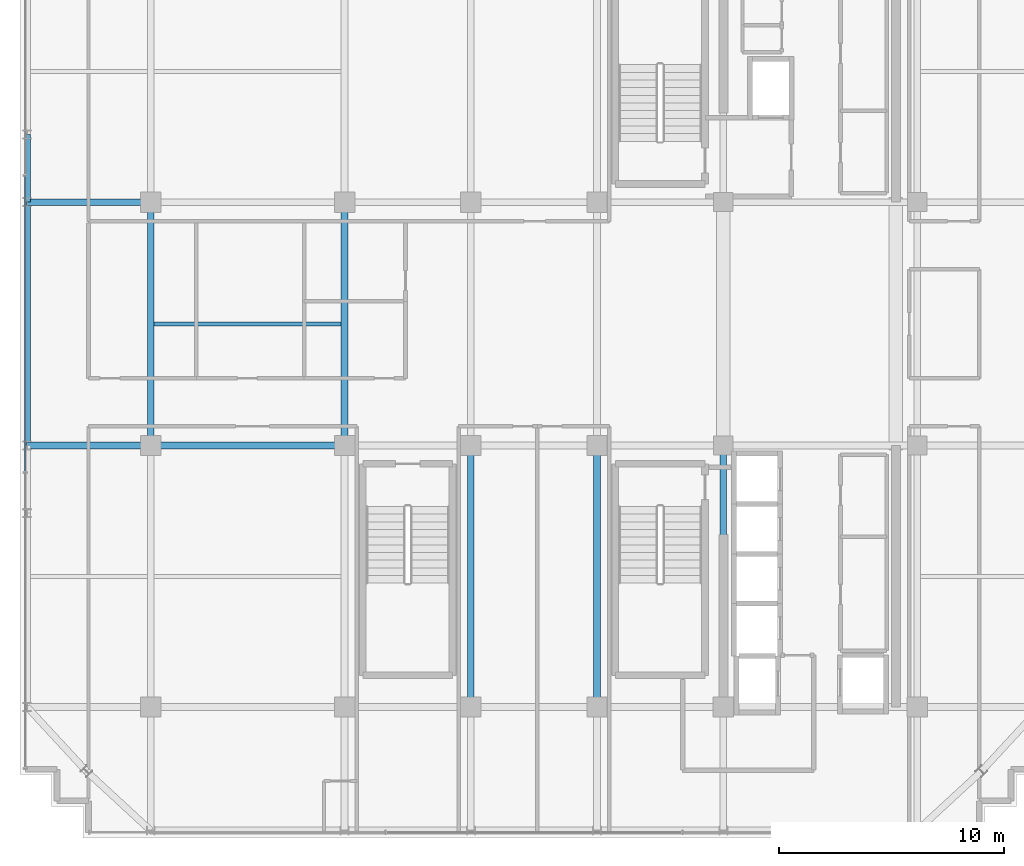
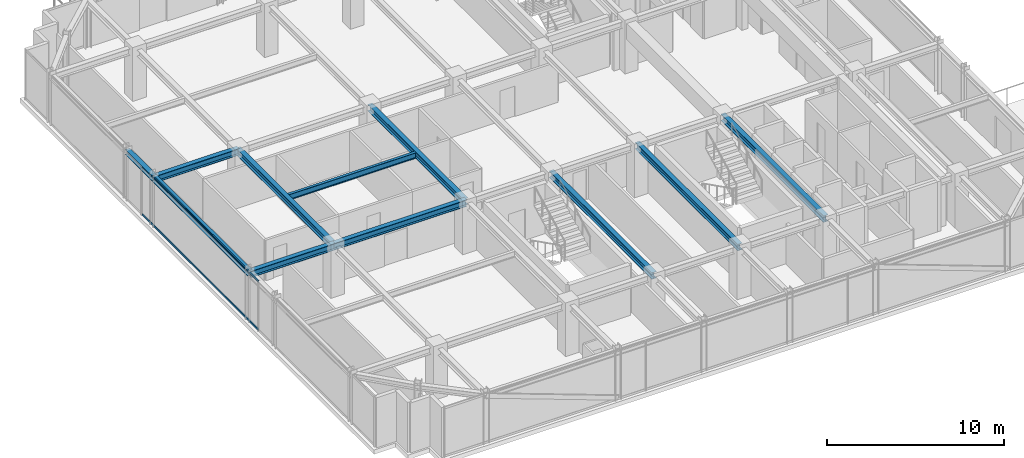
# One storey, part 9 of 31: 11 beams, 2 members, 1 element without a shape of its own.
"""IFC4 building model written with IfcOpenShell, lengths in metres."""

from ifc_helpers import new_model, si_unit, direction, frame, origin, origin_2d, place, context, subcontext, project, spatial, hollow_rectangle, i_section, extrude, source, transform, mapped, material, material_profile, profile_set, type_object, element, aggregate, save


model = new_model("IFC4")

# Units and contexts
model_context = context("Model", 3, precision=1e-05, world=origin(), true_north=direction((0.0, 1.0)))
body_context = subcontext(model_context, "Body", "Model", "MODEL_VIEW")
ifc_project = project(units=[si_unit("LENGTHUNIT", "METRE"), si_unit("AREAUNIT", "SQUARE_METRE"), si_unit("VOLUMEUNIT", "CUBIC_METRE"), si_unit("PLANEANGLEUNIT", "RADIAN"), si_unit("MASSUNIT", "GRAM", prefix="KILO")], contexts=[model_context])

# Site, building, storey
site_placement = place(None, origin())
site = spatial("IfcSite", under=ifc_project, at=site_placement, CompositionType="ELEMENT")
building_placement = place(site_placement, origin())
building = spatial("IfcBuilding", under=site, at=building_placement, Name="Nahalor Promenade Grand Hotel", CompositionType="ELEMENT")
storey_placement = place(building_placement, frame((0.0, 0.0, 281.300048828125)))
storey = spatial("IfcBuildingStorey", under=building, at=storey_placement, Name="L72", CompositionType="ELEMENT", Elevation=281.300048828125)

# Beams
ifc_material_1 = material(Name="Steel S355JR", Category="steel")
ifc_material_profile_1 = material_profile(ifc_material_1, i_section(OverallWidth=0.3, OverallDepth=0.45, WebThickness=0.014, FlangeThickness=0.026, at=origin_2d()), Name="HEB 450")
ifc_profile_set_1 = profile_set([ifc_material_profile_1], Name="Steel S355JR")
beam_type_1 = type_object("IfcBeamType", Name="Beam-Girder-HEB450", PredefinedType="BEAM", material=ifc_profile_set_1)
shared_shape_1 = source(origin(), body_context, "Body", "SweptSolid", [
    extrude(i_section(OverallWidth=0.3, OverallDepth=0.45, WebThickness=0.014, FlangeThickness=0.026, at=origin_2d()), origin(), (0.0, 0.0, 1.0), 8.60009765625),
])
beam_1_placement = place(storey_placement, frame((-17.0, -5.39990234375, 3.224853515625), z_axis=(1.0, 0.0, 0.0), x_axis=(0.0, 1.0, 0.0)))
element("IfcBeam", 1, at=beam_1_placement, inside=storey, type_object=beam_type_1, Name="BM-L72-GX-1-1", PredefinedType="BEAM", context=body_context, shape_type="MappedRepresentation", body=[
    mapped(shared_shape_1, transform((0.0, 0.0, 0.0), scale=1.0)),
])
shared_shape_2 = source(origin(), body_context, "Body", "SweptSolid", [
    extrude(i_section(OverallWidth=0.3, OverallDepth=0.45, WebThickness=0.014, FlangeThickness=0.026, at=origin_2d()), origin(), (0.0, 0.0, 1.0), 11.60009765625),
])
for number, where, z_axis, x_axis, name in (
    (2, (-2.800048828125, -17.0, 3.224853515625), (0.0, 1.0, 0.0), (-1.0, 0.0, 0.0), "BM-L72-GY-2-1"),
    (3, (2.800048828125, -17.0, 3.224853515625), (0.0, 1.0, 0.0), (-1.0, 0.0, 0.0), "BM-L72-GY-3-1"),
    (4, (8.39990234375, -17.0, 3.224853515625), (0.0, 1.0, 0.0), (-1.0, 0.0, 0.0), "BM-L72-GY-4-1"),
):
    element("IfcBeam", number, at=place(storey_placement, frame(where, z_axis=z_axis, x_axis=x_axis)), inside=storey, type_object=beam_type_1, Name=name, PredefinedType="BEAM", context=body_context, shape_type="MappedRepresentation", body=[
        mapped(shared_shape_2, transform((0.0, 0.0, 0.0), scale=1.0)),
    ])
shared_shape_3 = source(origin(), body_context, "Body", "SweptSolid", [
    extrude(i_section(OverallWidth=0.3, OverallDepth=0.45, WebThickness=0.014, FlangeThickness=0.026, at=origin_2d()), origin(), (0.0, 0.0, 1.0), 10.7998046875),
])
for number, where, z_axis, x_axis, name in (
    (5, (-17.0, -5.39990234375, 3.224853515625), (0.0, 1.0, 0.0), (-1.0, 0.0, 0.0), "BM-L72-GY-0-2"),
    (6, (-8.39990234375, -5.39990234375, 3.224853515625), (0.0, 1.0, 0.0), (-1.0, 0.0, 0.0), "BM-L72-GY-1-2"),
):
    element("IfcBeam", number, at=place(storey_placement, frame(where, z_axis=z_axis, x_axis=x_axis)), inside=storey, type_object=beam_type_1, Name=name, PredefinedType="BEAM", context=body_context, shape_type="MappedRepresentation", body=[
        mapped(shared_shape_3, transform((0.0, 0.0, 0.0), scale=1.0)),
    ])
ifc_material_profile_2 = material_profile(ifc_material_1, i_section(OverallWidth=0.18, OverallDepth=0.4, WebThickness=0.0086, FlangeThickness=0.0135, at=origin_2d()), Name="IPE 400")
ifc_profile_set_2 = profile_set([ifc_material_profile_2], Name="Steel S355JR")
beam_type_2 = type_object("IfcBeamType", Name="Beam-Joist-IPE400", PredefinedType="JOIST", material=ifc_profile_set_2)
shared_shape_4 = source(origin(), body_context, "Body", "SweptSolid", [
    extrude(i_section(OverallWidth=0.18, OverallDepth=0.4, WebThickness=0.0086, FlangeThickness=0.0135, at=origin_2d()), origin(), (0.0, 0.0, 1.0), 8.300048828125),
])
beam_2_placement = place(storey_placement, frame((-16.85009765625, 0.0, 3.25), z_axis=(1.0, 0.0, 0.0), x_axis=(0.0, 1.0, 0.0)))
element("IfcBeam", 7, at=beam_2_placement, inside=storey, type_object=beam_type_2, Name="BM-L72-JSC-0", PredefinedType="JOIST", context=body_context, shape_type="MappedRepresentation", body=[
    mapped(shared_shape_4, transform((0.0, 0.0, 0.0), scale=1.0)),
])
shared_shape_5 = source(origin(), body_context, "Body", "SweptSolid", [
    extrude(i_section(OverallWidth=0.3, OverallDepth=0.45, WebThickness=0.014, FlangeThickness=0.026, at=origin_2d()), origin(), (0.0, 0.0, 1.0), 5.47998046875),
])
for number, where, z_axis, x_axis, name in (
    (8, (-22.47998046875, -5.39990234375, 3.224853515625), (1.0, 0.0, 0.0), (0.0, 1.0, 0.0), "BM-L72-GX-1-0"),
    (9, (-22.47998046875, 5.39990234375, 3.224853515625), (1.0, 0.0, 0.0), (0.0, 1.0, 0.0), "BM-L72-GX-2-0"),
):
    element("IfcBeam", number, at=place(storey_placement, frame(where, z_axis=z_axis, x_axis=x_axis)), inside=storey, type_object=beam_type_1, Name=name, PredefinedType="BEAM", context=body_context, shape_type="MappedRepresentation", body=[
        mapped(shared_shape_5, transform((0.0, 0.0, 0.0), scale=1.0)),
    ])
ifc_material_profile_3 = material_profile(ifc_material_1, i_section(OverallWidth=0.3, OverallDepth=0.36, WebThickness=0.0125, FlangeThickness=0.0225, at=origin_2d()), Name="HEB 360")
ifc_profile_set_3 = profile_set([ifc_material_profile_3], Name="Steel S355JR")
beam_type_3 = type_object("IfcBeamType", Name="Beam-Spandrel-HEB360", PredefinedType="SPANDREL", material=ifc_profile_set_3)
shared_shape_6 = source(origin(), body_context, "Body", "SweptSolid", [
    extrude(i_section(OverallWidth=0.3, OverallDepth=0.36, WebThickness=0.0125, FlangeThickness=0.0225, at=origin_2d()), origin(), (0.0, 0.0, 1.0), 3.0),
])
beam_3_placement = place(storey_placement, frame((-22.47998046875, 5.39990234375, 3.27001953125), z_axis=(0.0, 1.0, 0.0), x_axis=(-1.0, 0.0, 0.0)))
element("IfcBeam", 10, at=beam_3_placement, inside=storey, type_object=beam_type_3, Name="BM-L72-SP-W-3", PredefinedType="SPANDREL", context=body_context, shape_type="MappedRepresentation", body=[
    mapped(shared_shape_6, transform((0.0, 0.0, 0.0), scale=1.0)),
])
shared_shape_7 = source(origin(), body_context, "Body", "SweptSolid", [
    extrude(i_section(OverallWidth=0.3, OverallDepth=0.36, WebThickness=0.0125, FlangeThickness=0.0225, at=origin_2d()), origin(), (0.0, 0.0, 1.0), 10.7998046875),
])
beam_4_placement = place(storey_placement, frame((-22.47998046875, -5.39990234375, 3.27001953125), z_axis=(0.0, 1.0, 0.0), x_axis=(-1.0, 0.0, 0.0)))
element("IfcBeam", 11, at=beam_4_placement, inside=storey, type_object=beam_type_3, Name="BM-L72-SP-W-2", PredefinedType="SPANDREL", context=body_context, shape_type="MappedRepresentation", body=[
    mapped(shared_shape_7, transform((0.0, 0.0, 0.0), scale=1.0)),
])

# Curtain wall, members
ifc_material_2 = material(Name="Anodised Bronze Aluminium EN AW-6063 T6", Category="aluminium")
curtain_wall_type = type_object("IfcCurtainWallType", Name="CW2 Typical Hotel Flush Bronze Unitised Curtain Wall", PredefinedType="USERDEFINED", material=ifc_material_2)
curtain_wall_placement = place(storey_placement, origin())
curtain_wall = element("IfcCurtainWall", 12, at=curtain_wall_placement, inside=storey, type_object=curtain_wall_type, Name="L72 Curtain Wall CW-L72-W-1", ObjectType="UNITISED_CURTAIN_WALL", PredefinedType="USERDEFINED")
ifc_material_profile_4 = material_profile(ifc_material_2, hollow_rectangle(XDim=0.065, YDim=0.13, WallThickness=0.004, at=origin_2d()), Name="CWT 65x130x4")
ifc_profile_set_4 = profile_set([ifc_material_profile_4], Name="Anodised Bronze Aluminium EN AW-6063 T6")
member_type = type_object("IfcMemberType", Name="CWT2 Typical Bronze Transom 65x130", PredefinedType="USERDEFINED", material=ifc_profile_set_4)
shared_shape_8 = source(origin(), body_context, "Body", "SweptSolid", [
    extrude(hollow_rectangle(XDim=0.065, YDim=0.13, WallThickness=0.004, at=origin_2d()), origin(), (0.0, 0.0, 1.0), 13.1083984375),
])
member_1_placement = place(storey_placement, frame((-22.56005859375, -6.55419921875, 0.06494140625), z_axis=(0.0, 1.0, 0.0), x_axis=(-1.0, 0.0, 0.0)))
member_1 = element("IfcMember", 13, at=member_1_placement, type_object=member_type, Name="CW-L72-W-1 Transom 1-0", ObjectType="TRANSOM", PredefinedType="USERDEFINED", context=body_context, shape_type="MappedRepresentation", body=[
    mapped(shared_shape_8, transform((0.0, 0.0, 0.0), scale=1.0)),
])
member_2_placement = place(storey_placement, frame((-22.56005859375, -6.55419921875, 3.385009765625), z_axis=(0.0, 1.0, 0.0), x_axis=(-1.0, 0.0, 0.0)))
member_2 = element("IfcMember", 14, at=member_2_placement, type_object=member_type, Name="CW-L72-W-1 Transom 1-1", ObjectType="TRANSOM", PredefinedType="USERDEFINED", context=body_context, shape_type="MappedRepresentation", body=[
    mapped(shared_shape_8, transform((0.0, 0.0, 0.0), scale=1.0)),
])
aggregate(curtain_wall, [member_1, member_2])

save(model, "model.ifc")
